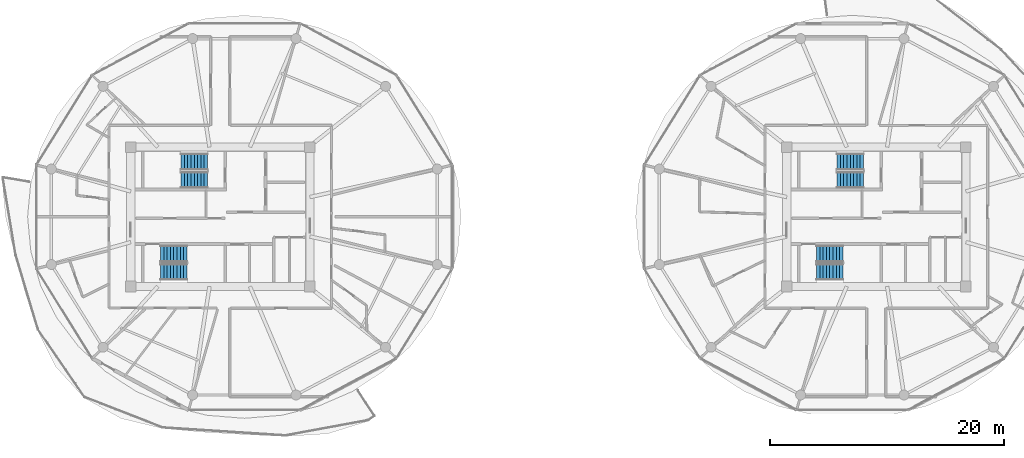
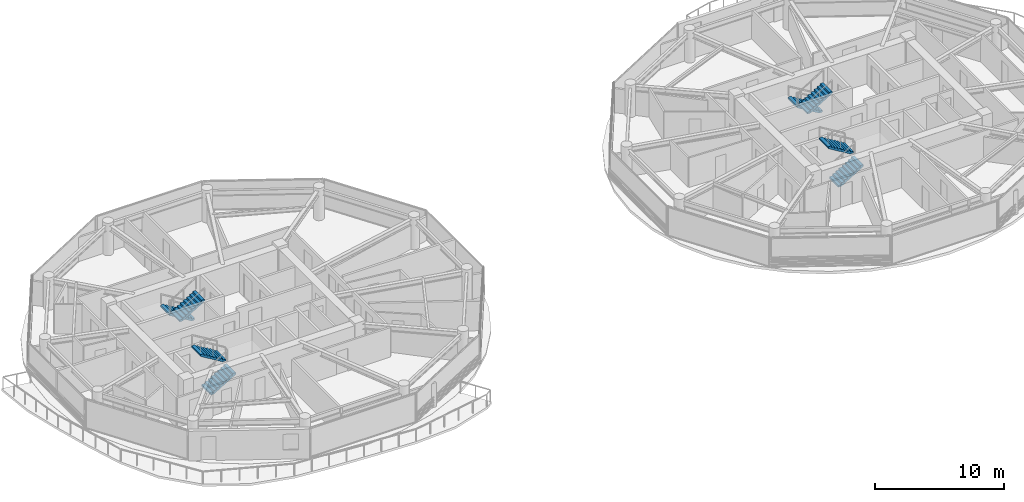
# One storey, part 19 of 24: 8 stair flights, 4 elements without a shape of their own.
"""IFC4 building model written with IfcOpenShell, lengths in metres."""

from ifc_helpers import new_model, si_unit, direction, frame, origin, place, context, subcontext, project, spatial, polyline, outline, extrude, material, type_object, element, aggregate, save


model = new_model("IFC4")

# Units and contexts
model_context = context("Model", 3, precision=1e-05, world=origin(), true_north=direction((0.0, 1.0)))
body_context = subcontext(model_context, "Body", "Model", "MODEL_VIEW")
ifc_project = project(units=[si_unit("LENGTHUNIT", "METRE"), si_unit("AREAUNIT", "SQUARE_METRE"), si_unit("VOLUMEUNIT", "CUBIC_METRE"), si_unit("PLANEANGLEUNIT", "RADIAN"), si_unit("MASSUNIT", "GRAM", prefix="KILO")], contexts=[model_context])

# Site, building, storey
site_placement = place(None, origin())
site = spatial("IfcSite", under=ifc_project, at=site_placement, CompositionType="ELEMENT")
building_placement = place(site_placement, origin())
building = spatial("IfcBuilding", under=site, at=building_placement, Name="Norrkilde Senior Care Towers", CompositionType="ELEMENT")
storey_placement = place(building_placement, frame((0.0, 0.0, 108.449951171875)))
storey = spatial("IfcBuildingStorey", under=building, at=storey_placement, Name="L33", CompositionType="ELEMENT", Elevation=108.449951171875)

# Stair, stair flights
ifc_material = material(Name="Concrete C45/55", Category="concrete")
stair_type = type_object("IfcStairType", Name="Core Protected Dogleg Stair Typical 3050", PredefinedType="HALF_TURN_STAIR", material=ifc_material)
stair_1_placement = place(storey_placement, origin())
stair_1 = element("IfcStair", 1, at=stair_1_placement, inside=storey, type_object=stair_type, Name="L33 Protected Core Stair W1", PredefinedType="HALF_TURN_STAIR")
stair_flight_type = type_object("IfcStairFlightType", Name="Core Protected Dogleg Stair Typical 3050 Flight", PredefinedType="STRAIGHT", material=ifc_material)
stair_flight_1_placement = place(storey_placement, frame((-29.10009765625, 4.699951171875, 0.0), z_axis=(0.0, 0.0, 1.0), x_axis=(-1.0, 0.0, 0.0)))
stair_flight_1 = element("IfcStairFlight", 2, at=stair_flight_1_placement, type_object=stair_flight_type, Name="ST-W1 flight 1", NumberOfRisers=9, NumberOfTreads=8, PredefinedType="STRAIGHT", RiserHeight=0.169444444, TreadLength=0.28, context=body_context, shape_type="SweptSolid", body=[
    extrude(outline(polyline([(0.0, 0.0), (0.0, 0.16943359375), (0.280029296875, 0.16943359375), (0.280029296875, 0.3388671875), (0.56005859375, 0.3388671875), (0.56005859375, 0.50830078125), (0.840087890625, 0.50830078125), (0.840087890625, 0.677734375), (1.1201171875, 0.677734375), (1.1201171875, 0.84716796875), (1.39990234375, 0.84716796875), (1.39990234375, 1.0166015625), (1.679931640625, 1.0166015625), (1.679931640625, 1.18603515625), (1.9599609375, 1.18603515625), (1.9599609375, 1.35546875), (2.239990234375, 1.35546875), (2.239990234375, 1.52490234375), (2.239990234375, 1.180419921875), (0.28955078125, 0.0), (0.0, 0.0)])), frame((0.0, 0.699951171875, 0.0), z_axis=(0.0, -1.0, 0.0), x_axis=(1.0, 0.0, 0.0)), (0.0, 0.0, 1.0), 1.39990234375),
])
stair_flight_2_placement = place(storey_placement, frame((-31.340087890625, 3.14990234375, 1.525146484375), z_axis=(0.0, 0.0, 1.0), x_axis=(1.0, 0.0, 0.0)))
stair_flight_2 = element("IfcStairFlight", 3, at=stair_flight_2_placement, type_object=stair_flight_type, Name="ST-W1 flight 2", NumberOfRisers=9, NumberOfTreads=8, PredefinedType="STRAIGHT", RiserHeight=0.169444444, TreadLength=0.28, context=body_context, shape_type="SweptSolid", body=[
    extrude(outline(polyline([(0.0, 0.0), (0.0, 0.16943359375), (0.280029296875, 0.16943359375), (0.280029296875, 0.3388671875), (0.56005859375, 0.3388671875), (0.56005859375, 0.50830078125), (0.840087890625, 0.50830078125), (0.840087890625, 0.677734375), (1.1201171875, 0.677734375), (1.1201171875, 0.84716796875), (1.39990234375, 0.84716796875), (1.39990234375, 1.0166015625), (1.679931640625, 1.0166015625), (1.679931640625, 1.18603515625), (1.9599609375, 1.18603515625), (1.9599609375, 1.35546875), (2.239990234375, 1.35546875), (2.239990234375, 1.52490234375), (2.239990234375, 1.180419921875), (0.28955078125, 0.0), (0.0, 0.0)])), frame((0.0, 0.699951171875, 0.0), z_axis=(0.0, -1.0, 0.0), x_axis=(1.0, 0.0, 0.0)), (0.0, 0.0, 1.0), 1.39990234375),
])
aggregate(stair_1, [stair_flight_1, stair_flight_2])

stair_2_placement = place(storey_placement, origin())
stair_2 = element("IfcStair", 4, at=stair_2_placement, inside=storey, type_object=stair_type, Name="L33 Protected Core Stair W2", PredefinedType="HALF_TURN_STAIR")
stair_flight_3_placement = place(storey_placement, frame((-33.10009765625, -4.699951171875, 0.0), z_axis=(0.0, 0.0, 1.0), x_axis=(1.0, 0.0, 0.0)))
stair_flight_3 = element("IfcStairFlight", 5, at=stair_flight_3_placement, type_object=stair_flight_type, Name="ST-W2 flight 1", NumberOfRisers=9, NumberOfTreads=8, PredefinedType="STRAIGHT", RiserHeight=0.169444444, TreadLength=0.28, context=body_context, shape_type="SweptSolid", body=[
    extrude(outline(polyline([(0.0, 0.0), (0.0, 0.16943359375), (0.280029296875, 0.16943359375), (0.280029296875, 0.3388671875), (0.56005859375, 0.3388671875), (0.56005859375, 0.50830078125), (0.840087890625, 0.50830078125), (0.840087890625, 0.677734375), (1.1201171875, 0.677734375), (1.1201171875, 0.84716796875), (1.39990234375, 0.84716796875), (1.39990234375, 1.0166015625), (1.679931640625, 1.0166015625), (1.679931640625, 1.18603515625), (1.9599609375, 1.18603515625), (1.9599609375, 1.35546875), (2.239990234375, 1.35546875), (2.239990234375, 1.52490234375), (2.239990234375, 1.180419921875), (0.28955078125, 0.0), (0.0, 0.0)])), frame((0.0, 0.699951171875, 0.0), z_axis=(0.0, -1.0, 0.0), x_axis=(1.0, 0.0, 0.0)), (0.0, 0.0, 1.0), 1.39990234375),
])
stair_flight_4_placement = place(storey_placement, frame((-30.860107421875, -3.14990234375, 1.525146484375), z_axis=(0.0, 0.0, 1.0), x_axis=(-1.0, 0.0, 0.0)))
stair_flight_4 = element("IfcStairFlight", 6, at=stair_flight_4_placement, type_object=stair_flight_type, Name="ST-W2 flight 2", NumberOfRisers=9, NumberOfTreads=8, PredefinedType="STRAIGHT", RiserHeight=0.169444444, TreadLength=0.28, context=body_context, shape_type="SweptSolid", body=[
    extrude(outline(polyline([(0.0, 0.0), (0.0, 0.16943359375), (0.280029296875, 0.16943359375), (0.280029296875, 0.3388671875), (0.56005859375, 0.3388671875), (0.56005859375, 0.50830078125), (0.840087890625, 0.50830078125), (0.840087890625, 0.677734375), (1.1201171875, 0.677734375), (1.1201171875, 0.84716796875), (1.39990234375, 0.84716796875), (1.39990234375, 1.0166015625), (1.679931640625, 1.0166015625), (1.679931640625, 1.18603515625), (1.9599609375, 1.18603515625), (1.9599609375, 1.35546875), (2.239990234375, 1.35546875), (2.239990234375, 1.52490234375), (2.239990234375, 1.180419921875), (0.28955078125, 0.0), (0.0, 0.0)])), frame((0.0, 0.699951171875, 0.0), z_axis=(0.0, -1.0, 0.0), x_axis=(1.0, 0.0, 0.0)), (0.0, 0.0, 1.0), 1.39990234375),
])
aggregate(stair_2, [stair_flight_3, stair_flight_4])

stair_3_placement = place(storey_placement, origin())
stair_3 = element("IfcStair", 7, at=stair_3_placement, inside=storey, type_object=stair_type, Name="L33 Protected Core Stair E1", PredefinedType="HALF_TURN_STAIR")
stair_flight_5_placement = place(storey_placement, frame((26.89990234375, 4.699951171875, 0.0), z_axis=(0.0, 0.0, 1.0), x_axis=(-1.0, 0.0, 0.0)))
stair_flight_5 = element("IfcStairFlight", 8, at=stair_flight_5_placement, type_object=stair_flight_type, Name="ST-E1 flight 1", NumberOfRisers=9, NumberOfTreads=8, PredefinedType="STRAIGHT", RiserHeight=0.169444444, TreadLength=0.28, context=body_context, shape_type="SweptSolid", body=[
    extrude(outline(polyline([(0.0, 0.0), (0.0, 0.16943359375), (0.280029296875, 0.16943359375), (0.280029296875, 0.3388671875), (0.56005859375, 0.3388671875), (0.56005859375, 0.50830078125), (0.840087890625, 0.50830078125), (0.840087890625, 0.677734375), (1.1201171875, 0.677734375), (1.1201171875, 0.84716796875), (1.39990234375, 0.84716796875), (1.39990234375, 1.0166015625), (1.679931640625, 1.0166015625), (1.679931640625, 1.18603515625), (1.9599609375, 1.18603515625), (1.9599609375, 1.35546875), (2.239990234375, 1.35546875), (2.239990234375, 1.52490234375), (2.239990234375, 1.180419921875), (0.28955078125, 0.0), (0.0, 0.0)])), frame((0.0, 0.699951171875, 0.0), z_axis=(0.0, -1.0, 0.0), x_axis=(1.0, 0.0, 0.0)), (0.0, 0.0, 1.0), 1.39990234375),
])
stair_flight_6_placement = place(storey_placement, frame((24.659912109375, 3.14990234375, 1.525146484375), z_axis=(0.0, 0.0, 1.0), x_axis=(1.0, 0.0, 0.0)))
stair_flight_6 = element("IfcStairFlight", 9, at=stair_flight_6_placement, type_object=stair_flight_type, Name="ST-E1 flight 2", NumberOfRisers=9, NumberOfTreads=8, PredefinedType="STRAIGHT", RiserHeight=0.169444444, TreadLength=0.28, context=body_context, shape_type="SweptSolid", body=[
    extrude(outline(polyline([(0.0, 0.0), (0.0, 0.16943359375), (0.280029296875, 0.16943359375), (0.280029296875, 0.3388671875), (0.56005859375, 0.3388671875), (0.56005859375, 0.50830078125), (0.840087890625, 0.50830078125), (0.840087890625, 0.677734375), (1.1201171875, 0.677734375), (1.1201171875, 0.84716796875), (1.39990234375, 0.84716796875), (1.39990234375, 1.0166015625), (1.679931640625, 1.0166015625), (1.679931640625, 1.18603515625), (1.9599609375, 1.18603515625), (1.9599609375, 1.35546875), (2.239990234375, 1.35546875), (2.239990234375, 1.52490234375), (2.239990234375, 1.180419921875), (0.28955078125, 0.0), (0.0, 0.0)])), frame((0.0, 0.699951171875, 0.0), z_axis=(0.0, -1.0, 0.0), x_axis=(1.0, 0.0, 0.0)), (0.0, 0.0, 1.0), 1.39990234375),
])
aggregate(stair_3, [stair_flight_5, stair_flight_6])

stair_4_placement = place(storey_placement, origin())
stair_4 = element("IfcStair", 10, at=stair_4_placement, inside=storey, type_object=stair_type, Name="L33 Protected Core Stair E2", PredefinedType="HALF_TURN_STAIR")
stair_flight_7_placement = place(storey_placement, frame((22.89990234375, -4.699951171875, 0.0), z_axis=(0.0, 0.0, 1.0), x_axis=(1.0, 0.0, 0.0)))
stair_flight_7 = element("IfcStairFlight", 11, at=stair_flight_7_placement, type_object=stair_flight_type, Name="ST-E2 flight 1", NumberOfRisers=9, NumberOfTreads=8, PredefinedType="STRAIGHT", RiserHeight=0.169444444, TreadLength=0.28, context=body_context, shape_type="SweptSolid", body=[
    extrude(outline(polyline([(0.0, 0.0), (0.0, 0.16943359375), (0.280029296875, 0.16943359375), (0.280029296875, 0.3388671875), (0.56005859375, 0.3388671875), (0.56005859375, 0.50830078125), (0.840087890625, 0.50830078125), (0.840087890625, 0.677734375), (1.1201171875, 0.677734375), (1.1201171875, 0.84716796875), (1.39990234375, 0.84716796875), (1.39990234375, 1.0166015625), (1.679931640625, 1.0166015625), (1.679931640625, 1.18603515625), (1.9599609375, 1.18603515625), (1.9599609375, 1.35546875), (2.239990234375, 1.35546875), (2.239990234375, 1.52490234375), (2.239990234375, 1.180419921875), (0.28955078125, 0.0), (0.0, 0.0)])), frame((0.0, 0.699951171875, 0.0), z_axis=(0.0, -1.0, 0.0), x_axis=(1.0, 0.0, 0.0)), (0.0, 0.0, 1.0), 1.39990234375),
])
stair_flight_8_placement = place(storey_placement, frame((25.139892578125, -3.14990234375, 1.525146484375), z_axis=(0.0, 0.0, 1.0), x_axis=(-1.0, 0.0, 0.0)))
stair_flight_8 = element("IfcStairFlight", 12, at=stair_flight_8_placement, type_object=stair_flight_type, Name="ST-E2 flight 2", NumberOfRisers=9, NumberOfTreads=8, PredefinedType="STRAIGHT", RiserHeight=0.169444444, TreadLength=0.28, context=body_context, shape_type="SweptSolid", body=[
    extrude(outline(polyline([(0.0, 0.0), (0.0, 0.16943359375), (0.280029296875, 0.16943359375), (0.280029296875, 0.3388671875), (0.56005859375, 0.3388671875), (0.56005859375, 0.50830078125), (0.840087890625, 0.50830078125), (0.840087890625, 0.677734375), (1.1201171875, 0.677734375), (1.1201171875, 0.84716796875), (1.39990234375, 0.84716796875), (1.39990234375, 1.0166015625), (1.679931640625, 1.0166015625), (1.679931640625, 1.18603515625), (1.9599609375, 1.18603515625), (1.9599609375, 1.35546875), (2.239990234375, 1.35546875), (2.239990234375, 1.52490234375), (2.239990234375, 1.180419921875), (0.28955078125, 0.0), (0.0, 0.0)])), frame((0.0, 0.699951171875, 0.0), z_axis=(0.0, -1.0, 0.0), x_axis=(1.0, 0.0, 0.0)), (0.0, 0.0, 1.0), 1.39990234375),
])
aggregate(stair_4, [stair_flight_7, stair_flight_8])

save(model, "model.ifc")
